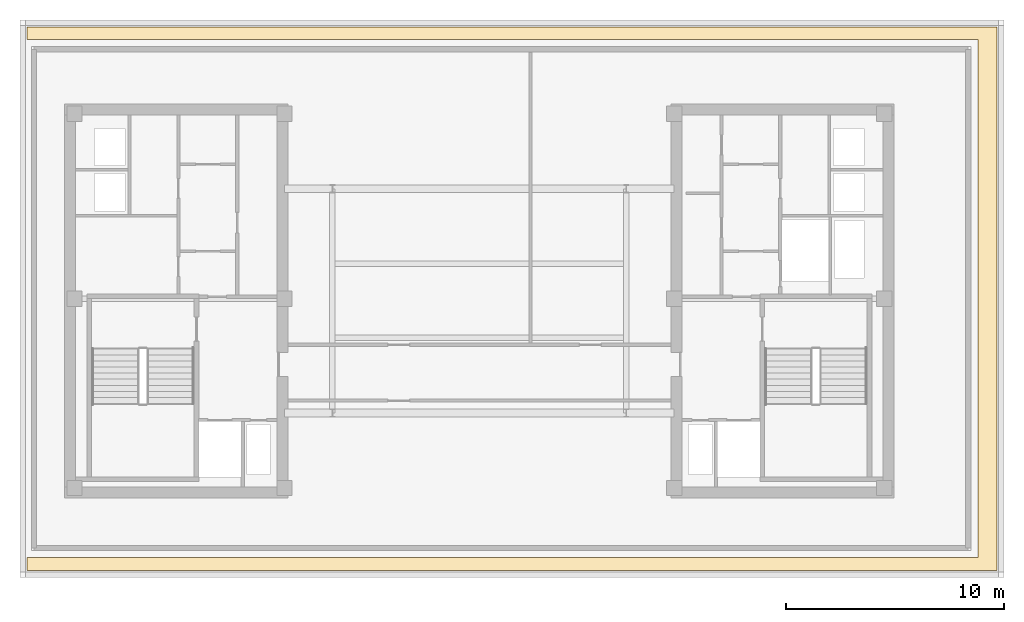
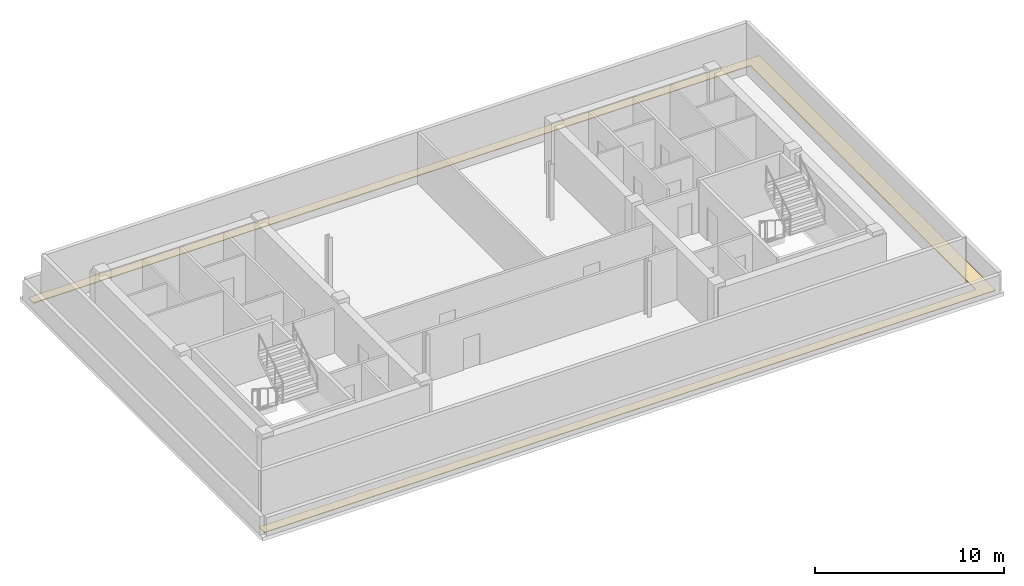
# One storey, part 6 of 7: 1 covering.
"""IFC4 building model written with IfcOpenShell, lengths in metres."""

from ifc_helpers import new_model, si_unit, direction, frame, origin, place, context, subcontext, project, spatial, polyline, outline, extrude, material, layer, layer_set, type_object, element, save


model = new_model("IFC4")

# Units and contexts
model_context = context("Model", 3, precision=1e-05, world=origin(), true_north=direction((0.0, 1.0)))
body_context = subcontext(model_context, "Body", "Model", "MODEL_VIEW")
ifc_project = project(units=[si_unit("LENGTHUNIT", "METRE"), si_unit("AREAUNIT", "SQUARE_METRE"), si_unit("VOLUMEUNIT", "CUBIC_METRE"), si_unit("PLANEANGLEUNIT", "RADIAN"), si_unit("MASSUNIT", "GRAM", prefix="KILO")], contexts=[model_context])

# Site, building, storey
site_placement = place(None, origin())
site = spatial("IfcSite", under=ifc_project, at=site_placement, CompositionType="ELEMENT")
building_placement = place(site_placement, origin())
building = spatial("IfcBuilding", under=site, at=building_placement, Name="Velakula Bourse", CompositionType="ELEMENT")
storey_placement = place(building_placement, frame((0.0, 0.0, 297.75)))
storey = spatial("IfcBuildingStorey", under=building, at=storey_placement, Name="L81", CompositionType="ELEMENT", Elevation=297.75)

# Covering
ifc_material = material(Name="Modified bitumen SBS waterproofing membrane", Category="bitumen")
ifc_layer = layer(ifc_material, 0.044921875, Name="Modified bitumen SBS waterproofing membrane", Category="bitumen")
ifc_layer_set = layer_set([ifc_layer], Name="Modified bitumen SBS waterproofing membrane")
covering_type = type_object("IfcCoveringType", Name="COV-ROOF-SBS-45", PredefinedType="ROOFING", material=ifc_layer_set)
covering_placement = place(storey_placement, origin())
element("IfcCovering", 1, at=covering_placement, inside=storey, type_object=covering_type, Name="L81 SBS Waterproofing Roof Membrane 1", PredefinedType="ROOFING", context=body_context, shape_type="SweptSolid", body=[
    extrude(outline(polyline([(-20.780029296875, -11.800048828125), (22.89990234375, -11.800048828125), (22.89990234375, 12.0), (-20.780029296875, 12.0), (-20.780029296875, 12.580078125), (23.780029296875, 12.580078125), (23.780029296875, -12.3798828125), (-20.780029296875, -12.3798828125), (-20.780029296875, -11.800048828125)])), origin(), (0.0, 0.0, 1.0), 0.044921875),
])

save(model, "model.ifc")
